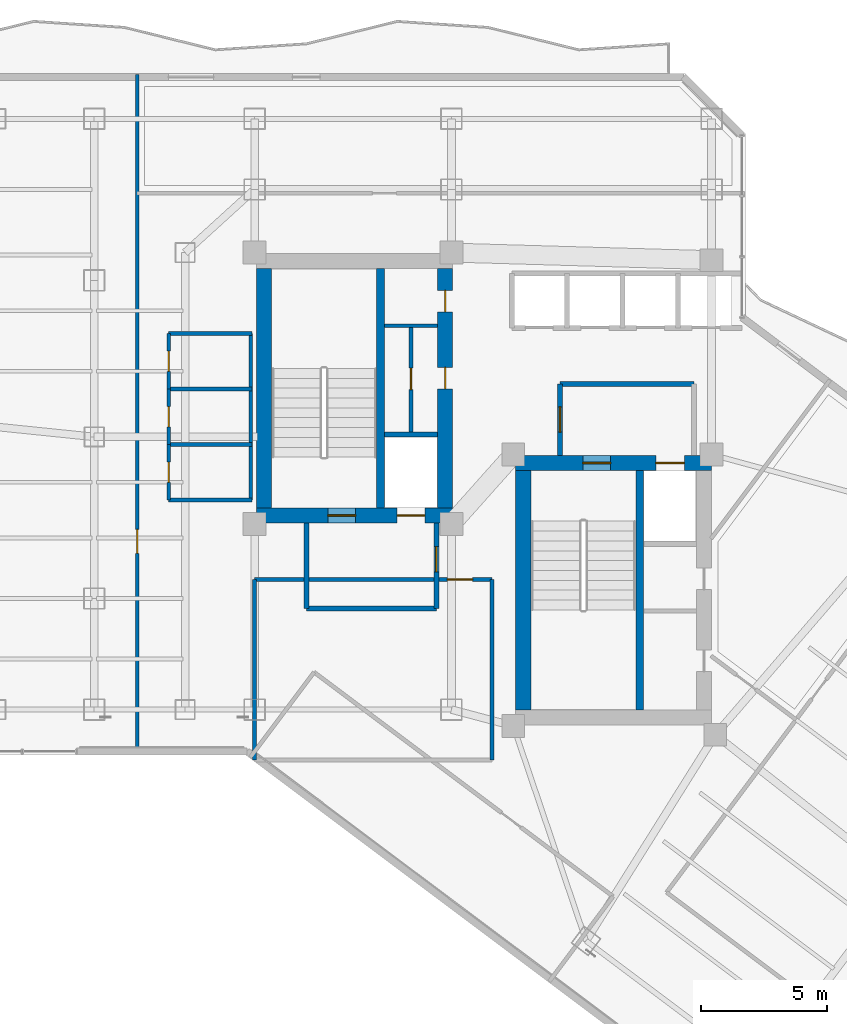
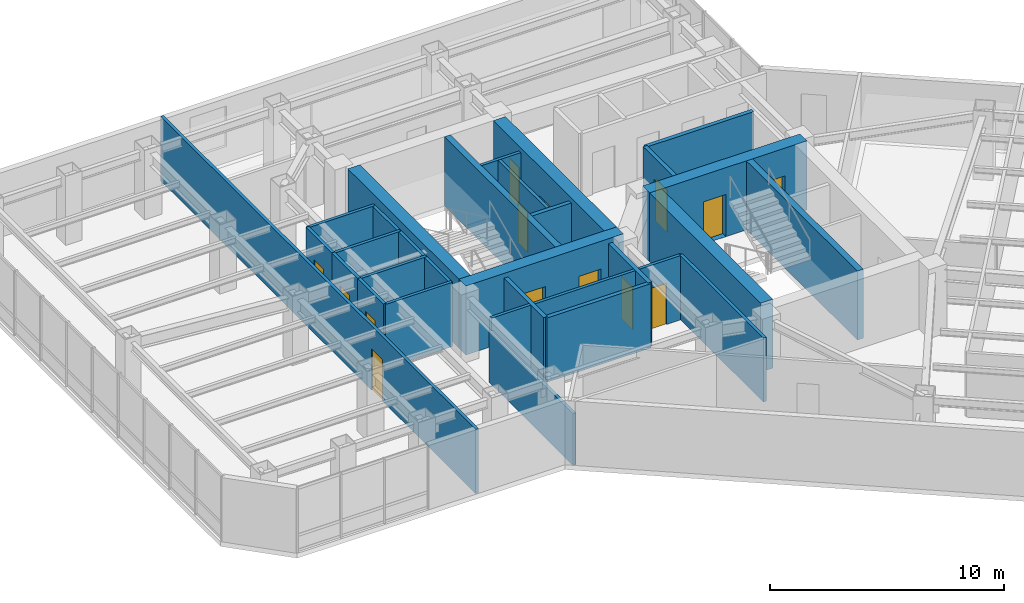
# One storey, part 22 of 26: 27 walls, 14 doors, 14 openings.
"""IFC4 building model written with IfcOpenShell, lengths in metres."""

from ifc_helpers import new_model, si_unit, direction, frame, frame_2d, origin, place, context, subcontext, project, spatial, rectangle, extrude, material, layer, layer_set, type_object, element, fill, save


model = new_model("IFC4")

# Units and contexts
model_context = context("Model", 3, precision=1e-05, world=origin(), true_north=direction((0.0, 1.0)))
body_context = subcontext(model_context, "Body", "Model", "MODEL_VIEW")
ifc_project = project(units=[si_unit("LENGTHUNIT", "METRE"), si_unit("AREAUNIT", "SQUARE_METRE"), si_unit("VOLUMEUNIT", "CUBIC_METRE"), si_unit("PLANEANGLEUNIT", "RADIAN"), si_unit("MASSUNIT", "GRAM", prefix="KILO")], contexts=[model_context])

# Site, building, storey
site_placement = place(None, origin())
site = spatial("IfcSite", under=ifc_project, at=site_placement, CompositionType="ELEMENT")
building_placement = place(site_placement, origin())
building = spatial("IfcBuilding", under=site, at=building_placement, Name="Hatsunagi Terrace Concourse", CompositionType="ELEMENT")
storey_placement = place(building_placement, frame((0.0, 0.0, 152.85009765625)))
storey = spatial("IfcBuildingStorey", under=building, at=storey_placement, Name="L40", CompositionType="ELEMENT", Elevation=152.85009765625)

# Wall, openings, doors
ifc_material_1 = material(Name="Concrete Fc48", Category="concrete")
ifc_layer_1 = layer(ifc_material_1, 0.60009765625)
ifc_layer_set_1 = layer_set([ifc_layer_1], Name="CoreShearWall_Fc48_600")
wall_type_1 = type_object("IfcWallType", Name="CoreShearWall_Fc48_600", PredefinedType="SHEAR", material=ifc_layer_set_1)
wall_1_placement = place(storey_placement, frame((25.6201171875, 32.889892578125, 0.0), z_axis=(0.0, 0.0, 1.0), x_axis=(1.0, 0.0, 0.0)))
wall_1 = element("IfcWall", 1, at=wall_1_placement, inside=storey, type_object=wall_type_1, Name="Core A Shear Wall S L40", PredefinedType="SHEAR", context=body_context, shape_type="SweptSolid", body=[
    extrude(rectangle(XDim=7.77978515625, YDim=0.60009765625, at=frame_2d((3.889892578125, 0.0))), origin(), (0.0, 0.0, 1.0), 3.599853515625),
])
opening_1_placement = place(wall_1_placement, frame((2.830078125, 0.0, 0.0)))
opening_1 = element("IfcOpeningElement", 2, at=opening_1_placement, cuts=wall_1, Name="Opening DR-110S", PredefinedType="OPENING", context=body_context, shape_type="SweptSolid", body=[
    extrude(rectangle(XDim=1.10009765625, YDim=2.199951171875, at=frame_2d((0.550048828125, 1.10009765625))), frame((0.0, 0.31005859375, 0.0), z_axis=(0.0, -1.0, 0.0), x_axis=(1.0, 0.0, 0.0)), (0.0, 0.0, 1.0), 0.6201171875),
])
opening_2_placement = place(wall_1_placement, frame((5.580078125, 0.0, 0.0)))
opening_2 = element("IfcOpeningElement", 3, at=opening_2_placement, cuts=wall_1, Name="Opening LD-01", PredefinedType="OPENING", context=body_context, shape_type="SweptSolid", body=[
    extrude(rectangle(XDim=1.10009765625, YDim=2.14990234375, at=frame_2d((0.550048828125, 1.074951171875))), frame((0.0, 0.31005859375, 0.0), z_axis=(0.0, -1.0, 0.0), x_axis=(1.0, 0.0, 0.0)), (0.0, 0.0, 1.0), 0.6201171875),
])
ifc_material_2 = material(Name="Stainless steel", Category="steel")
door_type_1 = type_object("IfcDoorType", Name="LiftLandingDoor_LD01", OperationType="SLIDING_TO_LEFT", PredefinedType="USERDEFINED", material=ifc_material_2)
door_1_placement = place(opening_2_placement, origin())
door_1 = element("IfcDoor", 4, at=door_1_placement, inside=storey, type_object=door_type_1, Name="Lift landing door FF-01 L40", ObjectType="SLIDING_LANDING_DOOR", OperationType="SLIDING_TO_LEFT", OverallHeight=2.14990234375, OverallWidth=1.10009765625, PredefinedType="USERDEFINED", context=body_context, shape_type="SweptSolid", body=[
    extrude(rectangle(XDim=1.10009765625, YDim=2.14990234375, at=frame_2d((0.550048828125, 1.074951171875))), frame((0.0, 0.02490234375, 0.0), z_axis=(0.0, -1.0, 0.0), x_axis=(1.0, 0.0, 0.0)), (0.0, 0.0, 1.0), 0.050048828125),
])
fill(opening_2, door_1)
ifc_material_3 = material(Name="Painted steel", Category="steel")
door_type_2 = type_object("IfcDoorType", Name="StairFireDoor_EI60_1100", OperationType="NOTDEFINED", PredefinedType="DOOR", material=ifc_material_3)
door_2_placement = place(opening_1_placement, origin())
door_2 = element("IfcDoor", 5, at=door_2_placement, inside=storey, type_object=door_type_2, Name="Stair ST-A Exit Door L40", OperationType="SINGLE_SWING_LEFT", OverallHeight=2.199951171875, OverallWidth=1.10009765625, PredefinedType="DOOR", context=body_context, shape_type="SweptSolid", body=[
    extrude(rectangle(XDim=1.10009765625, YDim=2.199951171875, at=frame_2d((0.550048828125, 1.10009765625))), frame((0.0, 0.02490234375, 0.0), z_axis=(0.0, -1.0, 0.0), x_axis=(1.0, 0.0, 0.0)), (0.0, 0.0, 1.0), 0.050048828125),
])
fill(opening_1, door_2)

# Wall
wall_2_placement = place(storey_placement, frame((25.919921875, 33.18994140625, 0.0), z_axis=(0.0, 0.0, 1.0), x_axis=(0.0, 1.0, 0.0)))
element("IfcWall", 6, at=wall_2_placement, inside=storey, type_object=wall_type_1, Name="Core A Shear Wall W L40", PredefinedType="SHEAR", context=body_context, shape_type="SweptSolid", body=[
    extrude(rectangle(XDim=9.47998046875, YDim=0.60009765625, at=frame_2d((4.739990234375, 0.0))), origin(), (0.0, 0.0, 1.0), 3.599853515625),
])

# Wall, openings, doors
wall_3_placement = place(storey_placement, frame((33.10009765625, 33.18994140625, 0.0), z_axis=(0.0, 0.0, 1.0), x_axis=(0.0, 1.0, 0.0)))
wall_3 = element("IfcWall", 7, at=wall_3_placement, inside=storey, type_object=wall_type_1, Name="Core A Shear Wall E L40", PredefinedType="SHEAR", context=body_context, shape_type="SweptSolid", body=[
    extrude(rectangle(XDim=9.47998046875, YDim=0.60009765625, at=frame_2d((4.739990234375, 0.0))), origin(), (0.0, 0.0, 1.0), 3.599853515625),
])
opening_3_placement = place(wall_3_placement, frame((4.7099609375, 0.0, 0.0)))
opening_3 = element("IfcOpeningElement", 8, at=opening_3_placement, cuts=wall_3, Name="Opening DR-085", PredefinedType="OPENING", context=body_context, shape_type="SweptSolid", body=[
    extrude(rectangle(XDim=0.85009765625, YDim=2.080078125, at=frame_2d((0.425048828125, 1.0400390625))), frame((0.0, 0.31005859375, 0.0), z_axis=(0.0, -1.0, 0.0), x_axis=(1.0, 0.0, 0.0)), (0.0, 0.0, 1.0), 0.6201171875),
])
opening_4_placement = place(wall_3_placement, frame((7.760009765625, 0.0, 0.0)))
opening_4 = element("IfcOpeningElement", 9, at=opening_4_placement, cuts=wall_3, Name="Opening DR-085", PredefinedType="OPENING", context=body_context, shape_type="SweptSolid", body=[
    extrude(rectangle(XDim=0.85009765625, YDim=2.080078125, at=frame_2d((0.425048828125, 1.0400390625))), frame((0.0, 0.31005859375, 0.0), z_axis=(0.0, -1.0, 0.0), x_axis=(1.0, 0.0, 0.0)), (0.0, 0.0, 1.0), 0.6201171875),
])
ifc_material_4 = material(Name="Painted steel", Category="steel")
door_type_3 = type_object("IfcDoorType", Name="RiserAccessDoor_EI60_850", OperationType="NOTDEFINED", PredefinedType="DOOR", material=ifc_material_4)
door_3_placement = place(opening_3_placement, origin())
door_3 = element("IfcDoor", 10, at=door_3_placement, inside=storey, type_object=door_type_3, Name="Core A Riser Door L40-1", OperationType="SINGLE_SWING_LEFT", OverallHeight=2.080078125, OverallWidth=0.85009765625, PredefinedType="DOOR", context=body_context, shape_type="SweptSolid", body=[
    extrude(rectangle(XDim=0.85009765625, YDim=2.080078125, at=frame_2d((0.425048828125, 1.0400390625))), frame((0.0, 0.02490234375, 0.0), z_axis=(0.0, -1.0, 0.0), x_axis=(1.0, 0.0, 0.0)), (0.0, 0.0, 1.0), 0.050048828125),
])
fill(opening_3, door_3)
door_4_placement = place(opening_4_placement, origin())
door_4 = element("IfcDoor", 11, at=door_4_placement, inside=storey, type_object=door_type_3, Name="Core A Riser Door L40-2", OperationType="SINGLE_SWING_LEFT", OverallHeight=2.080078125, OverallWidth=0.85009765625, PredefinedType="DOOR", context=body_context, shape_type="SweptSolid", body=[
    extrude(rectangle(XDim=0.85009765625, YDim=2.080078125, at=frame_2d((0.425048828125, 1.0400390625))), frame((0.0, 0.02490234375, 0.0), z_axis=(0.0, -1.0, 0.0), x_axis=(1.0, 0.0, 0.0)), (0.0, 0.0, 1.0), 0.050048828125),
])
fill(opening_4, door_4)

wall_4_placement = place(storey_placement, frame((35.889892578125, 34.969970703125, 0.0), z_axis=(0.0, 0.0, 1.0), x_axis=(1.0, 0.0, 0.0)))
wall_4 = element("IfcWall", 12, at=wall_4_placement, inside=storey, type_object=wall_type_1, Name="Core B Shear Wall N L40", PredefinedType="SHEAR", context=body_context, shape_type="SweptSolid", body=[
    extrude(rectangle(XDim=7.760009765625, YDim=0.60009765625, at=frame_2d((3.8798828125, 0.0))), origin(), (0.0, 0.0, 1.0), 3.599853515625),
])
opening_5_placement = place(wall_4_placement, frame((2.659912109375, 0.0, 0.0)))
opening_5 = element("IfcOpeningElement", 13, at=opening_5_placement, cuts=wall_4, Name="Opening DR-110S", PredefinedType="OPENING", context=body_context, shape_type="SweptSolid", body=[
    extrude(rectangle(XDim=1.10009765625, YDim=2.199951171875, at=frame_2d((0.550048828125, 1.10009765625))), frame((0.0, 0.31005859375, 0.0), z_axis=(0.0, -1.0, 0.0), x_axis=(1.0, 0.0, 0.0)), (0.0, 0.0, 1.0), 0.6201171875),
])
opening_6_placement = place(wall_4_placement, frame((5.56005859375, 0.0, 0.0)))
opening_6 = element("IfcOpeningElement", 14, at=opening_6_placement, cuts=wall_4, Name="Opening LD-02", PredefinedType="OPENING", context=body_context, shape_type="SweptSolid", body=[
    extrude(rectangle(XDim=1.1201171875, YDim=2.14990234375, at=frame_2d((0.56005859375, 1.074951171875))), frame((0.0, 0.31005859375, 0.0), z_axis=(0.0, -1.0, 0.0), x_axis=(1.0, 0.0, 0.0)), (0.0, 0.0, 1.0), 0.6201171875),
])
ifc_material_5 = material(Name="Stainless steel", Category="steel")
door_type_4 = type_object("IfcDoorType", Name="LiftLandingDoor_LD02", OperationType="SLIDING_TO_RIGHT", PredefinedType="USERDEFINED", material=ifc_material_5)
door_5_placement = place(opening_6_placement, origin())
door_5 = element("IfcDoor", 15, at=door_5_placement, inside=storey, type_object=door_type_4, Name="Lift landing door FF-02 L40", ObjectType="SLIDING_LANDING_DOOR", OperationType="SLIDING_TO_RIGHT", OverallHeight=2.14990234375, OverallWidth=1.1201171875, PredefinedType="USERDEFINED", context=body_context, shape_type="SweptSolid", body=[
    extrude(rectangle(XDim=1.1201171875, YDim=2.14990234375, at=frame_2d((0.56005859375, 1.074951171875))), frame((0.0, 0.02490234375, 0.0), z_axis=(0.0, -1.0, 0.0), x_axis=(1.0, 0.0, 0.0)), (0.0, 0.0, 1.0), 0.050048828125),
])
fill(opening_6, door_5)
door_6_placement = place(opening_5_placement, origin())
door_6 = element("IfcDoor", 16, at=door_6_placement, inside=storey, type_object=door_type_2, Name="Stair ST-B Exit Door L40", OperationType="SINGLE_SWING_RIGHT", OverallHeight=2.199951171875, OverallWidth=1.10009765625, PredefinedType="DOOR", context=body_context, shape_type="SweptSolid", body=[
    extrude(rectangle(XDim=1.10009765625, YDim=2.199951171875, at=frame_2d((0.550048828125, 1.10009765625))), frame((0.0, 0.02490234375, 0.0), z_axis=(0.0, -1.0, 0.0), x_axis=(1.0, 0.0, 0.0)), (0.0, 0.0, 1.0), 0.050048828125),
])
fill(opening_5, door_6)

# Walls
wall_5_placement = place(storey_placement, frame((36.18994140625, 25.18994140625, 0.0), z_axis=(0.0, 0.0, 1.0), x_axis=(0.0, 1.0, 0.0)))
element("IfcWall", 17, at=wall_5_placement, inside=storey, type_object=wall_type_1, Name="Core B Shear Wall W L40", PredefinedType="SHEAR", context=body_context, shape_type="SweptSolid", body=[
    extrude(rectangle(XDim=9.47998046875, YDim=0.60009765625, at=frame_2d((4.739990234375, 0.0))), origin(), (0.0, 0.0, 1.0), 3.599853515625),
])
ifc_material_6 = material(Name="Concrete Fc48", Category="concrete")
ifc_layer_2 = layer(ifc_material_6, 0.300048828125)
ifc_layer_set_2 = layer_set([ifc_layer_2], Name="CoreStairDivider_Fc48_300")
wall_type_2 = type_object("IfcWallType", Name="CoreStairDivider_Fc48_300", PredefinedType="SHEAR", material=ifc_layer_set_2)
for number, where, z_axis, x_axis, name in (
    (18, (30.5400390625, 33.18994140625, 0.0), (0.0, 0.0, 1.0), (0.0, 1.0, 0.0), "Core A Shear Wall D L40"),
    (19, (40.81005859375, 25.18994140625, 0.0), (0.0, 0.0, 1.0), (0.0, 1.0, 0.0), "Core B Shear Wall D L40"),
):
    element("IfcWall", number, at=place(storey_placement, frame(where, z_axis=z_axis, x_axis=x_axis)), inside=storey, type_object=wall_type_2, Name=name, PredefinedType="SHEAR", context=body_context, shape_type="SweptSolid", body=[
        extrude(rectangle(XDim=9.47998046875, YDim=0.300048828125, at=frame_2d((4.739990234375, 0.0))), origin(), (0.0, 0.0, 1.0), 3.599853515625),
    ])

# Wall, opening, door
ifc_material_7 = material(Name="Acoustic mineral board", Category="gypsum")
ifc_layer_3 = layer(ifc_material_7, 0.14990234375)
ifc_layer_set_3 = layer_set([ifc_layer_3], Name="PartitionWall_EI60_150")
wall_type_3 = type_object("IfcWallType", Name="PartitionWall_EI60_150", PredefinedType="PARTITIONING", material=ifc_layer_set_3)
wall_6_placement = place(storey_placement, frame((31.75, 36.179931640625, 0.0), z_axis=(0.0, 0.0, 1.0), x_axis=(0.0, 1.0, 0.0)))
wall_6 = element("IfcWall", 20, at=wall_6_placement, inside=storey, type_object=wall_type_3, Name="Interior Partition IW-L40-002", PredefinedType="PARTITIONING", context=body_context, shape_type="SweptSolid", body=[
    extrude(rectangle(XDim=4.239990234375, YDim=0.14990234375, at=frame_2d((2.1201171875, 0.0))), origin(), (0.0, 0.0, 1.0), 3.349853515625),
])
opening_7_placement = place(wall_6_placement, frame((1.695068359375, 0.0, 0.0)))
opening_7 = element("IfcOpeningElement", 21, at=opening_7_placement, cuts=wall_6, Name="Opening DR-085", PredefinedType="OPENING", context=body_context, shape_type="SweptSolid", body=[
    extrude(rectangle(XDim=0.85009765625, YDim=2.080078125, at=frame_2d((0.425048828125, 1.0400390625))), frame((0.0, 0.0849609375, 0.0), z_axis=(0.0, -1.0, 0.0), x_axis=(1.0, 0.0, 0.0)), (0.0, 0.0, 1.0), 0.169921875),
])
door_7_placement = place(opening_7_placement, origin())
door_7 = element("IfcDoor", 22, at=door_7_placement, inside=storey, type_object=door_type_3, Name="Core A Sub-Riser Door L40", OperationType="SINGLE_SWING_LEFT", OverallHeight=2.080078125, OverallWidth=0.85009765625, PredefinedType="DOOR", context=body_context, shape_type="SweptSolid", body=[
    extrude(rectangle(XDim=0.85009765625, YDim=2.080078125, at=frame_2d((0.425048828125, 1.0400390625))), frame((0.0, 0.02490234375, 0.0), z_axis=(0.0, -1.0, 0.0), x_axis=(1.0, 0.0, 0.0)), (0.0, 0.0, 1.0), 0.050048828125),
])
fill(opening_7, door_7)

# Walls
wall_7_placement = place(storey_placement, frame((30.699951171875, 40.39990234375, 0.0), z_axis=(0.0, 0.0, 1.0), x_axis=(1.0, 0.0, 0.0)))
element("IfcWall", 23, at=wall_7_placement, inside=storey, type_object=wall_type_3, Name="Interior Partition IW-L40-003", PredefinedType="PARTITIONING", context=body_context, shape_type="SweptSolid", body=[
    extrude(rectangle(XDim=2.10009765625, YDim=0.14990234375, at=frame_2d((1.050048828125, 0.0))), origin(), (0.0, 0.0, 1.0), 3.349853515625),
])
for number, where, z_axis, x_axis, name in (
    (24, (22.14990234375, 33.5, 0.0), (0.0, 0.0, 1.0), (1.0, 0.0, 0.0), "Interior Partition IW-L40-018"),
    (25, (22.14990234375, 40.10009765625, 0.0), (0.0, 0.0, 1.0), (1.0, 0.0, 0.0), "Interior Partition IW-L40-019"),
):
    element("IfcWall", number, at=place(storey_placement, frame(where, z_axis=z_axis, x_axis=x_axis)), inside=storey, type_object=wall_type_3, Name=name, PredefinedType="PARTITIONING", context=body_context, shape_type="SweptSolid", body=[
        extrude(rectangle(XDim=3.300048828125, YDim=0.14990234375, at=frame_2d((1.64990234375, 0.0))), origin(), (0.0, 0.0, 1.0), 3.349853515625),
    ])
wall_8_placement = place(storey_placement, frame((25.39990234375, 33.5, 0.0), z_axis=(0.0, 0.0, 1.0), x_axis=(0.0, 1.0, 0.0)))
element("IfcWall", 26, at=wall_8_placement, inside=storey, type_object=wall_type_3, Name="Interior Partition IW-L40-020", PredefinedType="PARTITIONING", context=body_context, shape_type="SweptSolid", body=[
    extrude(rectangle(XDim=6.60009765625, YDim=0.14990234375, at=frame_2d((3.300048828125, 0.0))), origin(), (0.0, 0.0, 1.0), 3.349853515625),
])
for number, where, z_axis, x_axis, name in (
    (27, (22.14990234375, 35.699951171875, 0.0), (0.0, 0.0, 1.0), (1.0, 0.0, 0.0), "Interior Partition IW-L40-021"),
    (28, (22.14990234375, 37.89990234375, 0.0), (0.0, 0.0, 1.0), (1.0, 0.0, 0.0), "Interior Partition IW-L40-022"),
):
    element("IfcWall", number, at=place(storey_placement, frame(where, z_axis=z_axis, x_axis=x_axis)), inside=storey, type_object=wall_type_3, Name=name, PredefinedType="PARTITIONING", context=body_context, shape_type="SweptSolid", body=[
        extrude(rectangle(XDim=3.300048828125, YDim=0.14990234375, at=frame_2d((1.64990234375, 0.0))), origin(), (0.0, 0.0, 1.0), 3.349853515625),
    ])

# Wall, opening, door
wall_9_placement = place(storey_placement, frame((22.14990234375, 33.5, 0.0), z_axis=(0.0, 0.0, 1.0), x_axis=(0.0, 1.0, 0.0)))
wall_9 = element("IfcWall", 29, at=wall_9_placement, inside=storey, type_object=wall_type_3, Name="Interior Partition IW-L40-023", PredefinedType="PARTITIONING", context=body_context, shape_type="SweptSolid", body=[
    extrude(rectangle(XDim=2.199951171875, YDim=0.14990234375, at=frame_2d((1.10009765625, 0.0))), origin(), (0.0, 0.0, 1.0), 3.349853515625),
])
opening_8_placement = place(wall_9_placement, frame((0.699951171875, 0.0, 0.0)))
opening_8 = element("IfcOpeningElement", 30, at=opening_8_placement, cuts=wall_9, Name="Opening DR-080", PredefinedType="OPENING", context=body_context, shape_type="SweptSolid", body=[
    extrude(rectangle(XDim=0.800048828125, YDim=2.06005859375, at=frame_2d((0.39990234375, 1.030029296875))), frame((0.0, 0.0849609375, 0.0), z_axis=(0.0, -1.0, 0.0), x_axis=(1.0, 0.0, 0.0)), (0.0, 0.0, 1.0), 0.169921875),
])
ifc_material_8 = material(Name="Hardwood timber", Category="wood")
door_type_5 = type_object("IfcDoorType", Name="BathroomDoor_800", OperationType="NOTDEFINED", PredefinedType="DOOR", material=ifc_material_8)
door_8_placement = place(opening_8_placement, origin())
door_8 = element("IfcDoor", 31, at=door_8_placement, inside=storey, type_object=door_type_5, Name="Accessible WC Door L40", OperationType="SINGLE_SWING_RIGHT", OverallHeight=2.06005859375, OverallWidth=0.800048828125, PredefinedType="DOOR", context=body_context, shape_type="SweptSolid", body=[
    extrude(rectangle(XDim=0.800048828125, YDim=2.06005859375, at=frame_2d((0.39990234375, 1.030029296875))), frame((0.0, 0.02490234375, 0.0), z_axis=(0.0, -1.0, 0.0), x_axis=(1.0, 0.0, 0.0)), (0.0, 0.0, 1.0), 0.050048828125),
])
fill(opening_8, door_8)

wall_10_placement = place(storey_placement, frame((22.14990234375, 35.699951171875, 0.0), z_axis=(0.0, 0.0, 1.0), x_axis=(0.0, 1.0, 0.0)))
wall_10 = element("IfcWall", 32, at=wall_10_placement, inside=storey, type_object=wall_type_3, Name="Interior Partition IW-L40-024", PredefinedType="PARTITIONING", context=body_context, shape_type="SweptSolid", body=[
    extrude(rectangle(XDim=2.199951171875, YDim=0.14990234375, at=frame_2d((1.10009765625, 0.0))), origin(), (0.0, 0.0, 1.0), 3.349853515625),
])
opening_9_placement = place(wall_10_placement, frame((0.699951171875, 0.0, 0.0)))
opening_9 = element("IfcOpeningElement", 33, at=opening_9_placement, cuts=wall_10, Name="Opening DR-080", PredefinedType="OPENING", context=body_context, shape_type="SweptSolid", body=[
    extrude(rectangle(XDim=0.800048828125, YDim=2.06005859375, at=frame_2d((0.39990234375, 1.030029296875))), frame((0.0, 0.0849609375, 0.0), z_axis=(0.0, -1.0, 0.0), x_axis=(1.0, 0.0, 0.0)), (0.0, 0.0, 1.0), 0.169921875),
])
door_9_placement = place(opening_9_placement, origin())
door_9 = element("IfcDoor", 34, at=door_9_placement, inside=storey, type_object=door_type_5, Name="Female Restroom Door L40", OperationType="SINGLE_SWING_RIGHT", OverallHeight=2.06005859375, OverallWidth=0.800048828125, PredefinedType="DOOR", context=body_context, shape_type="SweptSolid", body=[
    extrude(rectangle(XDim=0.800048828125, YDim=2.06005859375, at=frame_2d((0.39990234375, 1.030029296875))), frame((0.0, 0.02490234375, 0.0), z_axis=(0.0, -1.0, 0.0), x_axis=(1.0, 0.0, 0.0)), (0.0, 0.0, 1.0), 0.050048828125),
])
fill(opening_9, door_9)

wall_11_placement = place(storey_placement, frame((22.14990234375, 37.89990234375, 0.0), z_axis=(0.0, 0.0, 1.0), x_axis=(0.0, 1.0, 0.0)))
wall_11 = element("IfcWall", 35, at=wall_11_placement, inside=storey, type_object=wall_type_3, Name="Interior Partition IW-L40-025", PredefinedType="PARTITIONING", context=body_context, shape_type="SweptSolid", body=[
    extrude(rectangle(XDim=2.2001953125, YDim=0.14990234375, at=frame_2d((1.10009765625, 0.0))), origin(), (0.0, 0.0, 1.0), 3.349853515625),
])
opening_10_placement = place(wall_11_placement, frame((0.699951171875, 0.0, 0.0)))
opening_10 = element("IfcOpeningElement", 36, at=opening_10_placement, cuts=wall_11, Name="Opening DR-080", PredefinedType="OPENING", context=body_context, shape_type="SweptSolid", body=[
    extrude(rectangle(XDim=0.800048828125, YDim=2.06005859375, at=frame_2d((0.39990234375, 1.030029296875))), frame((0.0, 0.0849609375, 0.0), z_axis=(0.0, -1.0, 0.0), x_axis=(1.0, 0.0, 0.0)), (0.0, 0.0, 1.0), 0.169921875),
])
door_10_placement = place(opening_10_placement, origin())
door_10 = element("IfcDoor", 37, at=door_10_placement, inside=storey, type_object=door_type_5, Name="Male Restroom Door L40", OperationType="SINGLE_SWING_RIGHT", OverallHeight=2.06005859375, OverallWidth=0.800048828125, PredefinedType="DOOR", context=body_context, shape_type="SweptSolid", body=[
    extrude(rectangle(XDim=0.800048828125, YDim=2.06005859375, at=frame_2d((0.39990234375, 1.030029296875))), frame((0.0, 0.02490234375, 0.0), z_axis=(0.0, -1.0, 0.0), x_axis=(1.0, 0.0, 0.0)), (0.0, 0.0, 1.0), 0.050048828125),
])
fill(opening_10, door_10)

wall_12_placement = place(storey_placement, frame((25.550048828125, 30.35009765625, 0.0), z_axis=(0.0, 0.0, 1.0), x_axis=(1.0, 0.0, 0.0)))
wall_12 = element("IfcWall", 38, at=wall_12_placement, inside=storey, type_object=wall_type_3, Name="Interior Partition IW-L40-027", PredefinedType="PARTITIONING", context=body_context, shape_type="SweptSolid", body=[
    extrude(rectangle(XDim=9.39990234375, YDim=0.14990234375, at=frame_2d((4.699951171875, 0.0))), origin(), (0.0, 0.0, 1.0), 3.349853515625),
])
opening_11_placement = place(wall_12_placement, frame((7.637939453125, 0.0, 0.0)))
opening_11 = element("IfcOpeningElement", 39, at=opening_11_placement, cuts=wall_12, Name="Opening DR-100S", PredefinedType="OPENING", context=body_context, shape_type="SweptSolid", body=[
    extrude(rectangle(XDim=1.0, YDim=2.14990234375, at=frame_2d((0.5, 1.074951171875))), frame((0.0, 0.0849609375, 0.0), z_axis=(0.0, -1.0, 0.0), x_axis=(1.0, 0.0, 0.0)), (0.0, 0.0, 1.0), 0.169921875),
])
ifc_material_9 = material(Name="Hardwood timber", Category="wood")
door_type_6 = type_object("IfcDoorType", Name="SuiteDoor_EI30_1000", OperationType="NOTDEFINED", PredefinedType="DOOR", material=ifc_material_9)
door_11_placement = place(opening_11_placement, origin())
door_11 = element("IfcDoor", 40, at=door_11_placement, inside=storey, type_object=door_type_6, Name="Executive Office L40-RECL1 Door", OperationType="SINGLE_SWING_RIGHT", OverallHeight=2.14990234375, OverallWidth=1.0, PredefinedType="DOOR", context=body_context, shape_type="SweptSolid", body=[
    extrude(rectangle(XDim=1.0, YDim=2.14990234375, at=frame_2d((0.5, 1.074951171875))), frame((0.0, 0.02490234375, 0.0), z_axis=(0.0, -1.0, 0.0), x_axis=(1.0, 0.0, 0.0)), (0.0, 0.0, 1.0), 0.050048828125),
])
fill(opening_11, door_11)

# Walls
wall_13_placement = place(storey_placement, frame((25.550048828125, 23.199951171875, 0.0), z_axis=(0.0, 0.0, 1.0), x_axis=(0.0, 1.0, 0.0)))
element("IfcWall", 41, at=wall_13_placement, inside=storey, type_object=wall_type_3, Name="Interior Partition IW-L40-028", PredefinedType="PARTITIONING", context=body_context, shape_type="SweptSolid", body=[
    extrude(rectangle(XDim=7.150146484375, YDim=0.14990234375, at=frame_2d((3.5751953125, 0.0))), origin(), (0.0, 0.0, 1.0), 2.69482421875),
])
wall_14_placement = place(storey_placement, frame((34.949951171875, 23.199951171875, 0.0), z_axis=(0.0, 0.0, 1.0), x_axis=(0.0, 1.0, 0.0)))
element("IfcWall", 42, at=wall_14_placement, inside=storey, type_object=wall_type_3, Name="Interior Partition IW-L40-029", PredefinedType="PARTITIONING", context=body_context, shape_type="SweptSolid", body=[
    extrude(rectangle(XDim=7.150146484375, YDim=0.14990234375, at=frame_2d((3.5751953125, 0.0))), origin(), (0.0, 0.0, 1.0), 3.349853515625),
])

# Wall, opening, door
wall_15_placement = place(storey_placement, frame((20.89990234375, 23.43994140625, 0.0), z_axis=(0.0, 0.0, 1.0), x_axis=(0.0, 1.0, 0.0)))
wall_15 = element("IfcWall", 43, at=wall_15_placement, inside=storey, type_object=wall_type_3, Name="Interior Partition IW-L40-030", PredefinedType="PARTITIONING", context=body_context, shape_type="SweptSolid", body=[
    extrude(rectangle(XDim=26.920166015625, YDim=0.14990234375, at=frame_2d((13.4599609375, 0.0))), origin(), (0.0, 0.0, 1.0), 3.349853515625),
])
opening_12_placement = place(wall_15_placement, frame((7.943115234375, 0.0, 0.0)))
opening_12 = element("IfcOpeningElement", 44, at=opening_12_placement, cuts=wall_15, Name="Opening DR-095", PredefinedType="OPENING", context=body_context, shape_type="SweptSolid", body=[
    extrude(rectangle(XDim=0.949951171875, YDim=2.14990234375, at=frame_2d((0.47509765625, 1.074951171875))), frame((0.0, 0.0849609375, 0.0), z_axis=(0.0, -1.0, 0.0), x_axis=(1.0, 0.0, 0.0)), (0.0, 0.0, 1.0), 0.169921875),
])
ifc_material_10 = material(Name="Hardwood timber", Category="wood")
door_type_7 = type_object("IfcDoorType", Name="InteriorSuiteDoor_EI30_950", OperationType="NOTDEFINED", PredefinedType="DOOR", material=ifc_material_10)
door_12_placement = place(opening_12_placement, origin())
door_12 = element("IfcDoor", 45, at=door_12_placement, inside=storey, type_object=door_type_7, Name="Open Plan Office L40-OW1 Door", OperationType="SINGLE_SWING_RIGHT", OverallHeight=2.14990234375, OverallWidth=0.949951171875, PredefinedType="DOOR", context=body_context, shape_type="SweptSolid", body=[
    extrude(rectangle(XDim=0.949951171875, YDim=2.14990234375, at=frame_2d((0.47509765625, 1.074951171875))), frame((0.0, 0.02490234375, 0.0), z_axis=(0.0, -1.0, 0.0), x_axis=(1.0, 0.0, 0.0)), (0.0, 0.0, 1.0), 0.050048828125),
])
fill(opening_12, door_12)

# Walls
ifc_material_11 = material(Name="Acoustic mineral board", Category="gypsum")
ifc_layer_4 = layer(ifc_material_11, 0.199951171875)
ifc_layer_set_4 = layer_set([ifc_layer_4], Name="ShaftWall_EI120_200")
wall_type_4 = type_object("IfcWallType", Name="ShaftWall_EI120_200", PredefinedType="STANDARD", material=ifc_layer_set_4)
wall_16_placement = place(storey_placement, frame((30.699951171875, 36.10009765625, 0.0), z_axis=(0.0, 0.0, 1.0), x_axis=(1.0, 0.0, 0.0)))
element("IfcWall", 46, at=wall_16_placement, inside=storey, type_object=wall_type_4, Name="Interior Partition IW-L40-001", PredefinedType="STANDARD", context=body_context, shape_type="SweptSolid", body=[
    extrude(rectangle(XDim=2.10009765625, YDim=0.199951171875, at=frame_2d((1.050048828125, 0.0))), origin(), (0.0, 0.0, 1.0), 3.349853515625),
])
wall_17_placement = place(storey_placement, frame((27.60009765625, 29.199951171875, 0.0), z_axis=(0.0, 0.0, 1.0), x_axis=(1.0, 0.0, 0.0)))
element("IfcWall", 47, at=wall_17_placement, inside=storey, type_object=wall_type_4, Name="Interior Partition IW-L40-006", PredefinedType="STANDARD", context=body_context, shape_type="SweptSolid", body=[
    extrude(rectangle(XDim=5.14990234375, YDim=0.199951171875, at=frame_2d((2.574951171875, 0.0))), origin(), (0.0, 0.0, 1.0), 3.349853515625),
])
wall_18_placement = place(storey_placement, frame((27.60009765625, 29.199951171875, 0.0), z_axis=(0.0, 0.0, 1.0), x_axis=(0.0, 1.0, 0.0)))
element("IfcWall", 48, at=wall_18_placement, inside=storey, type_object=wall_type_4, Name="Interior Partition IW-L40-007", PredefinedType="STANDARD", context=body_context, shape_type="SweptSolid", body=[
    extrude(rectangle(XDim=3.39013671875, YDim=0.199951171875, at=frame_2d((1.695068359375, 0.0))), origin(), (0.0, 0.0, 1.0), 3.349853515625),
])

# Wall, opening, door
wall_19_placement = place(storey_placement, frame((32.75, 29.199951171875, 0.0), z_axis=(0.0, 0.0, 1.0), x_axis=(0.0, 1.0, 0.0)))
wall_19 = element("IfcWall", 49, at=wall_19_placement, inside=storey, type_object=wall_type_4, Name="Interior Partition IW-L40-008", PredefinedType="STANDARD", context=body_context, shape_type="SweptSolid", body=[
    extrude(rectangle(XDim=3.39013671875, YDim=0.199951171875, at=frame_2d((1.695068359375, 0.0))), origin(), (0.0, 0.0, 1.0), 3.349853515625),
])
opening_13_placement = place(wall_19_placement, frame((1.449951171875, 0.0, 0.0)))
opening_13 = element("IfcOpeningElement", 50, at=opening_13_placement, cuts=wall_19, Name="Opening DR-100F", PredefinedType="OPENING", context=body_context, shape_type="SweptSolid", body=[
    extrude(rectangle(XDim=1.0, YDim=2.199951171875, at=frame_2d((0.5, 1.10009765625))), frame((0.0, 0.10986328125, 0.0), z_axis=(0.0, -1.0, 0.0), x_axis=(1.0, 0.0, 0.0)), (0.0, 0.0, 1.0), 0.219970703125),
])
ifc_material_12 = material(Name="Painted steel", Category="steel")
door_type_8 = type_object("IfcDoorType", Name="FireDoor_EI60_1000", OperationType="NOTDEFINED", PredefinedType="DOOR", material=ifc_material_12)
door_13_placement = place(opening_13_placement, origin())
door_13 = element("IfcDoor", 51, at=door_13_placement, inside=storey, type_object=door_type_8, Name="Firefighting Lobby A Door L40", OperationType="SINGLE_SWING_RIGHT", OverallHeight=2.199951171875, OverallWidth=1.0, PredefinedType="DOOR", context=body_context, shape_type="SweptSolid", body=[
    extrude(rectangle(XDim=1.0, YDim=2.199951171875, at=frame_2d((0.5, 1.10009765625))), frame((0.0, 0.02490234375, 0.0), z_axis=(0.0, -1.0, 0.0), x_axis=(1.0, 0.0, 0.0)), (0.0, 0.0, 1.0), 0.050048828125),
])
fill(opening_13, door_13)

# Wall
wall_20_placement = place(storey_placement, frame((37.64990234375, 38.10009765625, 0.0), z_axis=(0.0, 0.0, 1.0), x_axis=(1.0, 0.0, 0.0)))
element("IfcWall", 52, at=wall_20_placement, inside=storey, type_object=wall_type_4, Name="Interior Partition IW-L40-009", PredefinedType="STANDARD", context=body_context, shape_type="SweptSolid", body=[
    extrude(rectangle(XDim=5.300048828125, YDim=0.199951171875, at=frame_2d((2.64990234375, 0.0))), origin(), (0.0, 0.0, 1.0), 3.349853515625),
])

# Wall, opening, door
wall_21_placement = place(storey_placement, frame((37.64990234375, 35.27001953125, 0.0), z_axis=(0.0, 0.0, 1.0), x_axis=(0.0, 1.0, 0.0)))
wall_21 = element("IfcWall", 53, at=wall_21_placement, inside=storey, type_object=wall_type_4, Name="Interior Partition IW-L40-011", PredefinedType="STANDARD", context=body_context, shape_type="SweptSolid", body=[
    extrude(rectangle(XDim=2.830078125, YDim=0.199951171875, at=frame_2d((1.4150390625, 0.0))), origin(), (0.0, 0.0, 1.0), 3.349853515625),
])
opening_14_placement = place(wall_21_placement, frame((0.9150390625, 0.0, 0.0)))
opening_14 = element("IfcOpeningElement", 54, at=opening_14_placement, cuts=wall_21, Name="Opening DR-100F", PredefinedType="OPENING", context=body_context, shape_type="SweptSolid", body=[
    extrude(rectangle(XDim=1.0, YDim=2.199951171875, at=frame_2d((0.5, 1.10009765625))), frame((0.0, 0.10986328125, 0.0), z_axis=(0.0, -1.0, 0.0), x_axis=(1.0, 0.0, 0.0)), (0.0, 0.0, 1.0), 0.219970703125),
])
door_14_placement = place(opening_14_placement, origin())
door_14 = element("IfcDoor", 55, at=door_14_placement, inside=storey, type_object=door_type_8, Name="Firefighting Lobby B Door L40", OperationType="SINGLE_SWING_RIGHT", OverallHeight=2.199951171875, OverallWidth=1.0, PredefinedType="DOOR", context=body_context, shape_type="SweptSolid", body=[
    extrude(rectangle(XDim=1.0, YDim=2.199951171875, at=frame_2d((0.5, 1.10009765625))), frame((0.0, 0.02490234375, 0.0), z_axis=(0.0, -1.0, 0.0), x_axis=(1.0, 0.0, 0.0)), (0.0, 0.0, 1.0), 0.050048828125),
])
fill(opening_14, door_14)

save(model, "model.ifc")
